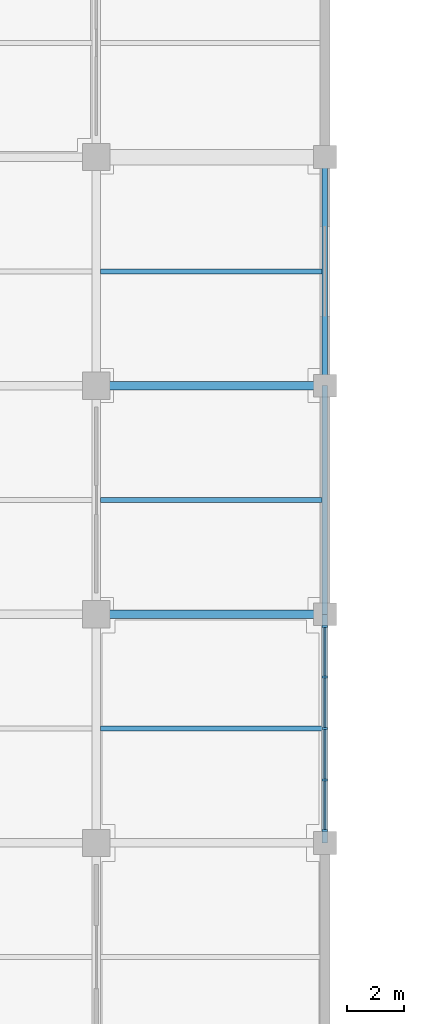
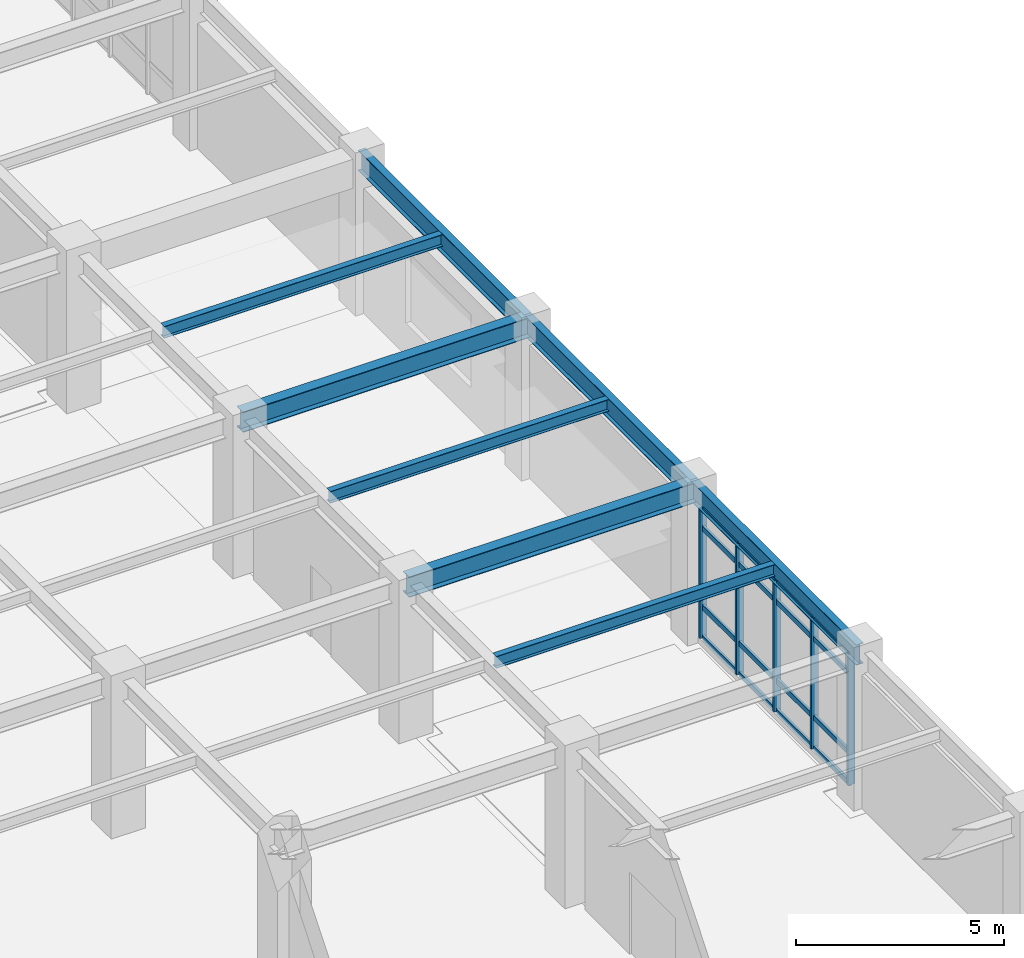
# One storey, part 31 of 109: 21 members, 8 beams, 1 element without a shape of its own.
"""IFC4 building model written with IfcOpenShell, lengths in metres."""

from ifc_helpers import new_model, si_unit, direction, frame, origin, origin_2d, place, context, subcontext, project, spatial, rectangle, i_section, extrude, material, layer, layer_set, material_profile, profile_set, type_object, element, aggregate, save


model = new_model("IFC4")

# Units and contexts
model_context = context("Model", 3, precision=1e-05, world=origin(), true_north=direction((0.0, 1.0)))
body_context = subcontext(model_context, "Body", "Model", "MODEL_VIEW")
ifc_project = project(units=[si_unit("LENGTHUNIT", "METRE"), si_unit("AREAUNIT", "SQUARE_METRE"), si_unit("VOLUMEUNIT", "CUBIC_METRE"), si_unit("PLANEANGLEUNIT", "RADIAN"), si_unit("MASSUNIT", "GRAM", prefix="KILO")], contexts=[model_context])

# Site, building, storey
site_placement = place(None, origin())
site = spatial("IfcSite", under=ifc_project, at=site_placement, CompositionType="ELEMENT")
building_placement = place(site_placement, origin())
building = spatial("IfcBuilding", under=site, at=building_placement, Name="Haebicheon Civic Stadium", CompositionType="ELEMENT")
storey_placement = place(building_placement, frame((0.0, 0.0, 9.60009765625)))
storey = spatial("IfcBuildingStorey", under=building, at=storey_placement, Name="L03", CompositionType="ELEMENT", Elevation=9.60009765625)

# Beams
ifc_material_1 = material(Name="Steel SM355 (S355)", Category="steel")
ifc_material_profile_1 = material_profile(ifc_material_1, i_section(OverallWidth=0.300048828125, OverallDepth=0.60009765625, WebThickness=0.011962890625, FlangeThickness=0.02001953125, at=origin_2d()), Name="H-600x300x12x20")
ifc_profile_set_1 = profile_set([ifc_material_profile_1], Name="Steel SM355 (S355)")
beam_type_1 = type_object("IfcBeamType", Name="BM-ST-H600A", PredefinedType="BEAM", material=ifc_profile_set_1)
for number, where, z_axis, x_axis, name in (
    (1, (160.0, 80.0, 4.239990234375), (1.0, 0.0, 0.0), (0.0, 1.0, 0.0), "L03 beam L/21-22"),
    (2, (160.0, 88.0, 4.239990234375), (1.0, 0.0, 0.0), (0.0, 1.0, 0.0), "L03 beam M/21-22"),
):
    element("IfcBeam", number, at=place(storey_placement, frame(where, z_axis=z_axis, x_axis=x_axis)), inside=storey, type_object=beam_type_1, material=ifc_profile_set_1, Name=name, PredefinedType="BEAM", context=body_context, shape_type="SweptSolid", body=[
        extrude(i_section(OverallWidth=0.300048828125, OverallDepth=0.60009765625, WebThickness=0.011962890625, FlangeThickness=0.02001953125, at=origin_2d()), origin(), (0.0, 0.0, 1.0), 8.0),
    ])

# Curtain wall, members
ifc_material_2 = material(Name="Anodised aluminium and laminated glass", Category="aluminium")
ifc_layer = layer(ifc_material_2, 0.179931640625, Name="Anodised aluminium and laminated glass")
ifc_layer_set = layer_set([ifc_layer], Name="Anodised aluminium and laminated glass")
curtain_wall_type = type_object("IfcCurtainWallType", Name="CW-7200x3770", PredefinedType="NOTDEFINED", material=ifc_layer_set)
curtain_wall_placement = place(storey_placement, origin())
curtain_wall = element("IfcCurtainWall", 3, at=curtain_wall_placement, inside=storey, type_object=curtain_wall_type, material=ifc_layer_set, Name="L03 unitised curtain wall 088", PredefinedType="NOTDEFINED")
ifc_material_3 = material(Name="Anodised aluminium 6063-T6", Category="aluminium")
ifc_material_profile_2 = material_profile(ifc_material_3, rectangle(XDim=0.070068359375, YDim=0.199951171875, at=origin_2d()), Name="ALU-MULL-70x200")
ifc_profile_set_2 = profile_set([ifc_material_profile_2], Name="Anodised aluminium 6063-T6")
member_type_1 = type_object("IfcMemberType", Name="CWM-200x70", PredefinedType="MULLION", material=ifc_profile_set_2)
member_1_placement = place(storey_placement, frame((168.0, 72.43505859375, 0.159912109375), z_axis=(0.0, 0.0, 1.0), x_axis=(0.0, 1.0, 0.0)))
member_1 = element("IfcMember", 4, at=member_1_placement, type_object=member_type_1, material=ifc_profile_set_2, Name="CW-L03-088 vertical mullion 1", PredefinedType="MULLION", context=body_context, shape_type="SweptSolid", body=[
    extrude(rectangle(XDim=0.070068359375, YDim=0.199951171875, at=origin_2d()), origin(), (0.0, 0.0, 1.0), 3.77001953125),
])
member_2_placement = place(storey_placement, frame((168.0, 74.199951171875, 0.159912109375), z_axis=(0.0, 0.0, 1.0), x_axis=(0.0, 1.0, 0.0)))
member_2 = element("IfcMember", 5, at=member_2_placement, type_object=member_type_1, material=ifc_profile_set_2, Name="CW-L03-088 vertical mullion 2", PredefinedType="MULLION", context=body_context, shape_type="SweptSolid", body=[
    extrude(rectangle(XDim=0.070068359375, YDim=0.199951171875, at=origin_2d()), origin(), (0.0, 0.0, 1.0), 3.77001953125),
])
member_3_placement = place(storey_placement, frame((168.0, 76.0, 0.159912109375), z_axis=(0.0, 0.0, 1.0), x_axis=(0.0, 1.0, 0.0)))
member_3 = element("IfcMember", 6, at=member_3_placement, type_object=member_type_1, material=ifc_profile_set_2, Name="CW-L03-088 vertical mullion 3", PredefinedType="MULLION", context=body_context, shape_type="SweptSolid", body=[
    extrude(rectangle(XDim=0.070068359375, YDim=0.199951171875, at=origin_2d()), origin(), (0.0, 0.0, 1.0), 3.77001953125),
])
member_4_placement = place(storey_placement, frame((168.0, 77.800048828125, 0.159912109375), z_axis=(0.0, 0.0, 1.0), x_axis=(0.0, 1.0, 0.0)))
member_4 = element("IfcMember", 7, at=member_4_placement, type_object=member_type_1, material=ifc_profile_set_2, Name="CW-L03-088 vertical mullion 4", PredefinedType="MULLION", context=body_context, shape_type="SweptSolid", body=[
    extrude(rectangle(XDim=0.070068359375, YDim=0.199951171875, at=origin_2d()), origin(), (0.0, 0.0, 1.0), 3.77001953125),
])
member_5_placement = place(storey_placement, frame((168.0, 79.56494140625, 0.159912109375), z_axis=(0.0, 0.0, 1.0), x_axis=(0.0, 1.0, 0.0)))
member_5 = element("IfcMember", 8, at=member_5_placement, type_object=member_type_1, material=ifc_profile_set_2, Name="CW-L03-088 vertical mullion 5", PredefinedType="MULLION", context=body_context, shape_type="SweptSolid", body=[
    extrude(rectangle(XDim=0.070068359375, YDim=0.199951171875, at=origin_2d()), origin(), (0.0, 0.0, 1.0), 3.77001953125),
])
ifc_material_4 = material(Name="Anodised aluminium 6063-T6", Category="aluminium")
ifc_material_profile_3 = material_profile(ifc_material_4, rectangle(XDim=0.070068359375, YDim=0.14990234375, at=origin_2d()), Name="ALU-TRAN-70x150")
ifc_profile_set_3 = profile_set([ifc_material_profile_3], Name="Anodised aluminium 6063-T6")
member_type_2 = type_object("IfcMemberType", Name="CWT-150x70", PredefinedType="NOTDEFINED", material=ifc_profile_set_3)
member_6_placement = place(storey_placement, frame((168.0, 72.469970703125, 0.159912109375), z_axis=(0.0, 1.0, 0.0), x_axis=(-1.0, 0.0, 0.0)))
member_6 = element("IfcMember", 9, at=member_6_placement, type_object=member_type_2, material=ifc_profile_set_3, Name="CW-L03-088 horizontal transom 1.1", ObjectType="TRANSOM", PredefinedType="USERDEFINED", context=body_context, shape_type="SweptSolid", body=[
    extrude(rectangle(XDim=0.070068359375, YDim=0.14990234375, at=origin_2d()), origin(), (0.0, 0.0, 1.0), 1.695068359375),
])
member_7_placement = place(storey_placement, frame((168.0, 72.469970703125, 1.059814453125), z_axis=(0.0, 1.0, 0.0), x_axis=(-1.0, 0.0, 0.0)))
member_7 = element("IfcMember", 10, at=member_7_placement, type_object=member_type_2, material=ifc_profile_set_3, Name="CW-L03-088 horizontal transom 1.2", ObjectType="TRANSOM", PredefinedType="USERDEFINED", context=body_context, shape_type="SweptSolid", body=[
    extrude(rectangle(XDim=0.070068359375, YDim=0.14990234375, at=origin_2d()), origin(), (0.0, 0.0, 1.0), 1.695068359375),
])
member_8_placement = place(storey_placement, frame((168.0, 72.469970703125, 3.3798828125), z_axis=(0.0, 1.0, 0.0), x_axis=(-1.0, 0.0, 0.0)))
member_8 = element("IfcMember", 11, at=member_8_placement, type_object=member_type_2, material=ifc_profile_set_3, Name="CW-L03-088 horizontal transom 1.3", ObjectType="TRANSOM", PredefinedType="USERDEFINED", context=body_context, shape_type="SweptSolid", body=[
    extrude(rectangle(XDim=0.070068359375, YDim=0.14990234375, at=origin_2d()), origin(), (0.0, 0.0, 1.0), 1.695068359375),
])
member_9_placement = place(storey_placement, frame((168.0, 72.469970703125, 3.929931640625), z_axis=(0.0, 1.0, 0.0), x_axis=(-1.0, 0.0, 0.0)))
member_9 = element("IfcMember", 12, at=member_9_placement, type_object=member_type_2, material=ifc_profile_set_3, Name="CW-L03-088 horizontal transom 1.4", ObjectType="TRANSOM", PredefinedType="USERDEFINED", context=body_context, shape_type="SweptSolid", body=[
    extrude(rectangle(XDim=0.070068359375, YDim=0.14990234375, at=origin_2d()), origin(), (0.0, 0.0, 1.0), 1.695068359375),
])
member_10_placement = place(storey_placement, frame((168.0, 74.235107421875, 0.159912109375), z_axis=(0.0, 1.0, 0.0), x_axis=(-1.0, 0.0, 0.0)))
member_10 = element("IfcMember", 13, at=member_10_placement, type_object=member_type_2, material=ifc_profile_set_3, Name="CW-L03-088 horizontal transom 2.1", ObjectType="TRANSOM", PredefinedType="USERDEFINED", context=body_context, shape_type="SweptSolid", body=[
    extrude(rectangle(XDim=0.070068359375, YDim=0.14990234375, at=origin_2d()), origin(), (0.0, 0.0, 1.0), 1.72998046875),
])
member_11_placement = place(storey_placement, frame((168.0, 74.235107421875, 1.059814453125), z_axis=(0.0, 1.0, 0.0), x_axis=(-1.0, 0.0, 0.0)))
member_11 = element("IfcMember", 14, at=member_11_placement, type_object=member_type_2, material=ifc_profile_set_3, Name="CW-L03-088 horizontal transom 2.2", ObjectType="TRANSOM", PredefinedType="USERDEFINED", context=body_context, shape_type="SweptSolid", body=[
    extrude(rectangle(XDim=0.070068359375, YDim=0.14990234375, at=origin_2d()), origin(), (0.0, 0.0, 1.0), 1.72998046875),
])
member_12_placement = place(storey_placement, frame((168.0, 74.235107421875, 3.3798828125), z_axis=(0.0, 1.0, 0.0), x_axis=(-1.0, 0.0, 0.0)))
member_12 = element("IfcMember", 15, at=member_12_placement, type_object=member_type_2, material=ifc_profile_set_3, Name="CW-L03-088 horizontal transom 2.3", ObjectType="TRANSOM", PredefinedType="USERDEFINED", context=body_context, shape_type="SweptSolid", body=[
    extrude(rectangle(XDim=0.070068359375, YDim=0.14990234375, at=origin_2d()), origin(), (0.0, 0.0, 1.0), 1.72998046875),
])
member_13_placement = place(storey_placement, frame((168.0, 74.235107421875, 3.929931640625), z_axis=(0.0, 1.0, 0.0), x_axis=(-1.0, 0.0, 0.0)))
member_13 = element("IfcMember", 16, at=member_13_placement, type_object=member_type_2, material=ifc_profile_set_3, Name="CW-L03-088 horizontal transom 2.4", ObjectType="TRANSOM", PredefinedType="USERDEFINED", context=body_context, shape_type="SweptSolid", body=[
    extrude(rectangle(XDim=0.070068359375, YDim=0.14990234375, at=origin_2d()), origin(), (0.0, 0.0, 1.0), 1.72998046875),
])
member_14_placement = place(storey_placement, frame((168.0, 76.034912109375, 0.159912109375), z_axis=(0.0, 1.0, 0.0), x_axis=(-1.0, 0.0, 0.0)))
member_14 = element("IfcMember", 17, at=member_14_placement, type_object=member_type_2, material=ifc_profile_set_3, Name="CW-L03-088 horizontal transom 3.1", ObjectType="TRANSOM", PredefinedType="USERDEFINED", context=body_context, shape_type="SweptSolid", body=[
    extrude(rectangle(XDim=0.070068359375, YDim=0.14990234375, at=origin_2d()), origin(), (0.0, 0.0, 1.0), 1.72998046875),
])
member_15_placement = place(storey_placement, frame((168.0, 76.034912109375, 1.059814453125), z_axis=(0.0, 1.0, 0.0), x_axis=(-1.0, 0.0, 0.0)))
member_15 = element("IfcMember", 18, at=member_15_placement, type_object=member_type_2, material=ifc_profile_set_3, Name="CW-L03-088 horizontal transom 3.2", ObjectType="TRANSOM", PredefinedType="USERDEFINED", context=body_context, shape_type="SweptSolid", body=[
    extrude(rectangle(XDim=0.070068359375, YDim=0.14990234375, at=origin_2d()), origin(), (0.0, 0.0, 1.0), 1.72998046875),
])
member_16_placement = place(storey_placement, frame((168.0, 76.034912109375, 3.3798828125), z_axis=(0.0, 1.0, 0.0), x_axis=(-1.0, 0.0, 0.0)))
member_16 = element("IfcMember", 19, at=member_16_placement, type_object=member_type_2, material=ifc_profile_set_3, Name="CW-L03-088 horizontal transom 3.3", ObjectType="TRANSOM", PredefinedType="USERDEFINED", context=body_context, shape_type="SweptSolid", body=[
    extrude(rectangle(XDim=0.070068359375, YDim=0.14990234375, at=origin_2d()), origin(), (0.0, 0.0, 1.0), 1.72998046875),
])
member_17_placement = place(storey_placement, frame((168.0, 76.034912109375, 3.929931640625), z_axis=(0.0, 1.0, 0.0), x_axis=(-1.0, 0.0, 0.0)))
member_17 = element("IfcMember", 20, at=member_17_placement, type_object=member_type_2, material=ifc_profile_set_3, Name="CW-L03-088 horizontal transom 3.4", ObjectType="TRANSOM", PredefinedType="USERDEFINED", context=body_context, shape_type="SweptSolid", body=[
    extrude(rectangle(XDim=0.070068359375, YDim=0.14990234375, at=origin_2d()), origin(), (0.0, 0.0, 1.0), 1.72998046875),
])
member_18_placement = place(storey_placement, frame((168.0, 77.8349609375, 0.159912109375), z_axis=(0.0, 1.0, 0.0), x_axis=(-1.0, 0.0, 0.0)))
member_18 = element("IfcMember", 21, at=member_18_placement, type_object=member_type_2, material=ifc_profile_set_3, Name="CW-L03-088 horizontal transom 4.1", ObjectType="TRANSOM", PredefinedType="USERDEFINED", context=body_context, shape_type="SweptSolid", body=[
    extrude(rectangle(XDim=0.070068359375, YDim=0.14990234375, at=origin_2d()), origin(), (0.0, 0.0, 1.0), 1.695068359375),
])
member_19_placement = place(storey_placement, frame((168.0, 77.8349609375, 1.059814453125), z_axis=(0.0, 1.0, 0.0), x_axis=(-1.0, 0.0, 0.0)))
member_19 = element("IfcMember", 22, at=member_19_placement, type_object=member_type_2, material=ifc_profile_set_3, Name="CW-L03-088 horizontal transom 4.2", ObjectType="TRANSOM", PredefinedType="USERDEFINED", context=body_context, shape_type="SweptSolid", body=[
    extrude(rectangle(XDim=0.070068359375, YDim=0.14990234375, at=origin_2d()), origin(), (0.0, 0.0, 1.0), 1.695068359375),
])
member_20_placement = place(storey_placement, frame((168.0, 77.8349609375, 3.3798828125), z_axis=(0.0, 1.0, 0.0), x_axis=(-1.0, 0.0, 0.0)))
member_20 = element("IfcMember", 23, at=member_20_placement, type_object=member_type_2, material=ifc_profile_set_3, Name="CW-L03-088 horizontal transom 4.3", ObjectType="TRANSOM", PredefinedType="USERDEFINED", context=body_context, shape_type="SweptSolid", body=[
    extrude(rectangle(XDim=0.070068359375, YDim=0.14990234375, at=origin_2d()), origin(), (0.0, 0.0, 1.0), 1.695068359375),
])
member_21_placement = place(storey_placement, frame((168.0, 77.8349609375, 3.929931640625), z_axis=(0.0, 1.0, 0.0), x_axis=(-1.0, 0.0, 0.0)))
member_21 = element("IfcMember", 24, at=member_21_placement, type_object=member_type_2, material=ifc_profile_set_3, Name="CW-L03-088 horizontal transom 4.4", ObjectType="TRANSOM", PredefinedType="USERDEFINED", context=body_context, shape_type="SweptSolid", body=[
    extrude(rectangle(XDim=0.070068359375, YDim=0.14990234375, at=origin_2d()), origin(), (0.0, 0.0, 1.0), 1.695068359375),
])
aggregate(curtain_wall, [member_1, member_2, member_3, member_4, member_5, member_6, member_7, member_8, member_9, member_10, member_11, member_12, member_13, member_14, member_15, member_16, member_17, member_18, member_19, member_20, member_21])

# Beams
ifc_material_5 = material(Name="Steel SM355 (S355)", Category="steel")
ifc_material_profile_4 = material_profile(ifc_material_5, i_section(OverallWidth=0.175048828125, OverallDepth=0.35009765625, WebThickness=0.007080078125, FlangeThickness=0.010986328125, at=origin_2d()), Name="H-350x175x7x11")
ifc_profile_set_4 = profile_set([ifc_material_profile_4], Name="Steel SM355 (S355)")
beam_type_2 = type_object("IfcBeamType", Name="JST-ST-H350", PredefinedType="JOIST", material=ifc_profile_set_4)
for number, where, z_axis, x_axis, name in (
    (25, (160.14990234375, 76.0, 4.364990234375), (1.0, 0.0, 0.0), (0.0, 1.0, 0.0), "L03 secondary joist 20-09"),
    (26, (160.14990234375, 84.0, 4.364990234375), (1.0, 0.0, 0.0), (0.0, 1.0, 0.0), "L03 secondary joist 20-10"),
    (27, (160.14990234375, 92.0, 4.364990234375), (1.0, 0.0, 0.0), (0.0, 1.0, 0.0), "L03 secondary joist 20-11"),
):
    element("IfcBeam", number, at=place(storey_placement, frame(where, z_axis=z_axis, x_axis=x_axis)), inside=storey, type_object=beam_type_2, material=ifc_profile_set_4, Name=name, PredefinedType="JOIST", context=body_context, shape_type="SweptSolid", body=[
        extrude(i_section(OverallWidth=0.175048828125, OverallDepth=0.35009765625, WebThickness=0.007080078125, FlangeThickness=0.010986328125, at=origin_2d()), origin(), (0.0, 0.0, 1.0), 7.75),
    ])
ifc_material_6 = material(Name="Steel SM355 (S355)", Category="steel")
ifc_material_profile_5 = material_profile(ifc_material_6, i_section(OverallWidth=0.199951171875, OverallDepth=0.60009765625, WebThickness=0.010986328125, FlangeThickness=0.01708984375, at=origin_2d()), Name="H-600x200x11x17")
ifc_profile_set_5 = profile_set([ifc_material_profile_5], Name="Steel SM355 (S355)")
beam_type_3 = type_object("IfcBeamType", Name="SPD-ST-H600B", PredefinedType="SPANDREL", material=ifc_profile_set_5)
for number, where, z_axis, x_axis, name in (
    (28, (168.0, 72.0, 4.239990234375), (0.0, 1.0, 0.0), (-1.0, 0.0, 0.0), "L03 girder 22/K-L"),
    (29, (168.0, 80.0, 4.239990234375), (0.0, 1.0, 0.0), (-1.0, 0.0, 0.0), "L03 girder 22/L-M"),
    (30, (168.0, 88.0, 4.239990234375), (0.0, 1.0, 0.0), (-1.0, 0.0, 0.0), "L03 girder 22/M-N"),
):
    element("IfcBeam", number, at=place(storey_placement, frame(where, z_axis=z_axis, x_axis=x_axis)), inside=storey, type_object=beam_type_3, material=ifc_profile_set_5, Name=name, PredefinedType="SPANDREL", context=body_context, shape_type="SweptSolid", body=[
        extrude(i_section(OverallWidth=0.199951171875, OverallDepth=0.60009765625, WebThickness=0.010986328125, FlangeThickness=0.01708984375, at=origin_2d()), origin(), (0.0, 0.0, 1.0), 8.0),
    ])

save(model, "model.ifc")
